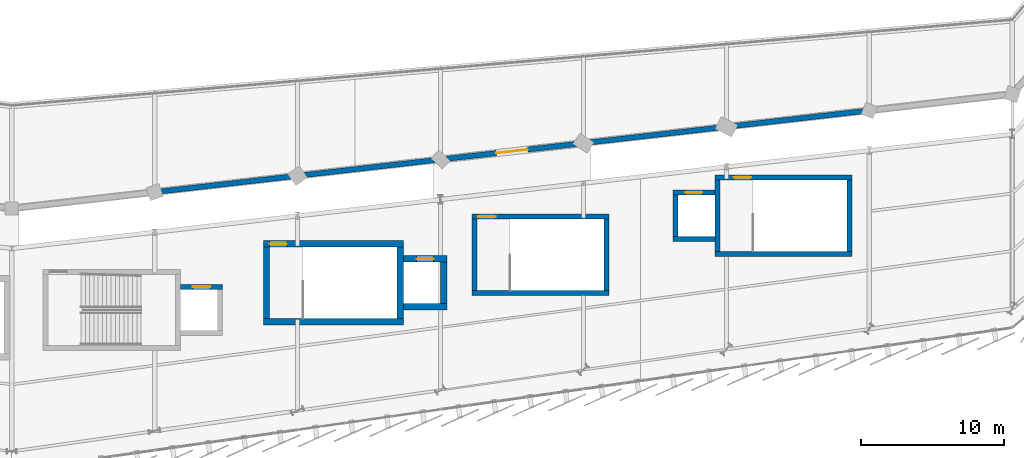
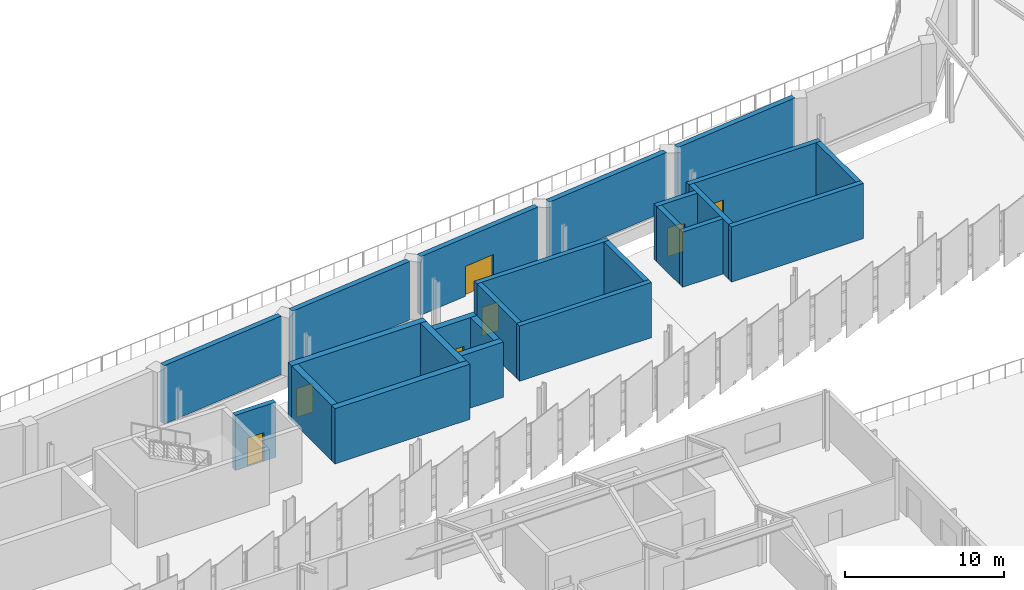
# One storey, part 76 of 87: 24 walls, 7 doors, 7 openings.
"""IFC4 building model written with IfcOpenShell, lengths in metres."""

from ifc_helpers import new_model, si_unit, direction, frame, frame_2d, origin, place, context, subcontext, project, spatial, rectangle, extrude, material, layer, layer_set, type_object, element, fill, save


model = new_model("IFC4")

# Units and contexts
model_context = context("Model", 3, precision=1e-05, world=origin(), true_north=direction((0.0, 1.0)))
body_context = subcontext(model_context, "Body", "Model", "MODEL_VIEW")
ifc_project = project(units=[si_unit("LENGTHUNIT", "METRE"), si_unit("AREAUNIT", "SQUARE_METRE"), si_unit("VOLUMEUNIT", "CUBIC_METRE"), si_unit("PLANEANGLEUNIT", "RADIAN"), si_unit("MASSUNIT", "GRAM", prefix="KILO")], contexts=[model_context])

# Site, building, storey
site_placement = place(None, origin())
site = spatial("IfcSite", under=ifc_project, at=site_placement, CompositionType="ELEMENT")
building_placement = place(site_placement, origin())
building = spatial("IfcBuilding", under=site, at=building_placement, Name="Sohan Crest Arena", CompositionType="ELEMENT")
storey_placement = place(building_placement, frame((0.0, 0.0, 18.0)))
storey = spatial("IfcBuildingStorey", under=building, at=storey_placement, Name="L04", CompositionType="ELEMENT", Elevation=18.0)

# Walls
ifc_material_1 = material(Name="Acoustic insulated bowl drum enclosure wall", Category="masonry")
ifc_layer_1 = layer(ifc_material_1, 0.3701171875, Name="Acoustic insulated bowl drum enclosure wall")
ifc_layer_set_1 = layer_set([ifc_layer_1], Name="Acoustic insulated bowl drum enclosure wall")
wall_type_1 = type_object("IfcWallType", Name="WAL-EW05", PredefinedType="SOLIDWALL", material=ifc_layer_set_1)
for number, where, z_axis, x_axis, name in (
    (1, (108.43701171875, 48.193115234375, 0.0), (0.0, 0.0, 1.0), (0.993532672656, 0.113546591161, 0.0), "Acoustic bowl drum wall BW-L04-14"),
    (2, (118.43701171875, 49.3359375, 0.0), (0.0, 0.0, 1.0), (0.993532672656, 0.113546591161, 0.0), "Acoustic bowl drum wall BW-L04-15"),
):
    element("IfcWall", number, at=place(storey_placement, frame(where, z_axis=z_axis, x_axis=x_axis)), inside=storey, type_object=wall_type_1, Name=name, PredefinedType="SOLIDWALL", context=body_context, shape_type="SweptSolid", body=[
        extrude(rectangle(XDim=9.185302734375, YDim=0.3701171875, at=frame_2d((4.5927734375, 0.0))), origin(), (0.0, 0.0, 1.0), 4.5),
    ])

# Wall, opening, door
wall_1_placement = place(storey_placement, frame((128.43701171875, 50.47900390625, 0.0), z_axis=(0.0, 0.0, 1.0), x_axis=(0.993544661122, 0.113441642955, 0.0)))
wall_1 = element("IfcWall", 3, at=wall_1_placement, inside=storey, type_object=wall_type_1, Name="Acoustic bowl drum wall BW-L04-16", PredefinedType="SOLIDWALL", context=body_context, shape_type="SweptSolid", body=[
    extrude(rectangle(XDim=9.185302734375, YDim=0.3701171875, at=frame_2d((4.5927734375, 0.0))), origin(), (0.0, 0.0, 1.0), 4.5),
])
opening_1_placement = place(wall_1_placement, frame((3.492919921875, 0.0, 0.0)))
opening_1 = element("IfcOpeningElement", 4, at=opening_1_placement, cuts=wall_1, Name="Opening VD-L04-16", PredefinedType="OPENING", context=body_context, shape_type="SweptSolid", body=[
    extrude(rectangle(XDim=2.199951171875, YDim=2.300048828125, at=frame_2d((1.10009765625, 1.14990234375))), frame((0.0, 0.195068359375, 0.0), z_axis=(0.0, -1.0, 0.0), x_axis=(1.0, 0.0, 0.0)), (0.0, 0.0, 1.0), 0.39013671875),
])
ifc_material_2 = material(Name="Fire-rated steel double escape door", Category="steel")
door_type_1 = type_object("IfcDoorType", Name="DR-FD01", OperationType="DOUBLE_DOOR_SINGLE_SWING", PredefinedType="DOOR", material=ifc_material_2)
door_1_placement = place(opening_1_placement, origin())
door_1 = element("IfcDoor", 5, at=door_1_placement, inside=storey, type_object=door_type_1, Name="Bowl vomitory portal fire door VD-L04-16", OperationType="DOUBLE_DOOR_SINGLE_SWING", OverallHeight=2.300048828125, OverallWidth=2.199951171875, PredefinedType="DOOR", context=body_context, shape_type="SweptSolid", body=[
    extrude(rectangle(XDim=2.199951171875, YDim=2.300048828125, at=frame_2d((1.10009765625, 1.14990234375))), frame((0.0, 0.02490234375, 0.0), z_axis=(0.0, -1.0, 0.0), x_axis=(1.0, 0.0, 0.0)), (0.0, 0.0, 1.0), 0.050048828125),
])
fill(opening_1, door_1)

# Walls
for number, where, z_axis, x_axis, name in (
    (6, (138.43701171875, 51.62109375, 0.0), (0.0, 0.0, 1.0), (0.993532672656, 0.113546591161, 0.0), "Acoustic bowl drum wall BW-L04-17"),
    (7, (148.43701171875, 52.763916015625, 0.0), (0.0, 0.0, 1.0), (0.993532672656, 0.113546591161, 0.0), "Acoustic bowl drum wall BW-L04-18"),
):
    element("IfcWall", number, at=place(storey_placement, frame(where, z_axis=z_axis, x_axis=x_axis)), inside=storey, type_object=wall_type_1, Name=name, PredefinedType="SOLIDWALL", context=body_context, shape_type="SweptSolid", body=[
        extrude(rectangle(XDim=9.185302734375, YDim=0.3701171875, at=frame_2d((4.5927734375, 0.0))), origin(), (0.0, 0.0, 1.0), 4.5),
    ])

# Wall, opening, door
ifc_material_3 = material(Name="Concrete C40/50", Category="concrete")
ifc_layer_2 = layer(ifc_material_3, 0.35009765625, Name="Concrete C40/50")
ifc_layer_set_2 = layer_set([ifc_layer_2], Name="Concrete C40/50")
wall_type_2 = type_object("IfcWallType", Name="WAL-SW02", PredefinedType="SHEAR", material=ifc_layer_set_2)
wall_2_placement = place(storey_placement, frame((109.800048828125, 41.52490234375, 0.0), z_axis=(0.0, 0.0, 1.0), x_axis=(1.0, 0.0, 0.0)))
wall_2 = element("IfcWall", 8, at=wall_2_placement, inside=storey, type_object=wall_type_2, Name="Core shear wall SW-0277", PredefinedType="SHEAR", context=body_context, shape_type="SweptSolid", body=[
    extrude(rectangle(XDim=2.949951171875, YDim=0.35009765625, at=frame_2d((1.47509765625, 0.0))), origin(), (0.0, 0.0, 1.0), 4.25),
])
opening_2_placement = place(wall_2_placement, frame((0.875, 0.0, 0.0)))
opening_2 = element("IfcOpeningElement", 9, at=opening_2_placement, cuts=wall_2, Name="Opening LD-LP03-L04", PredefinedType="OPENING", context=body_context, shape_type="SweptSolid", body=[
    extrude(rectangle(XDim=1.199951171875, YDim=2.199951171875, at=frame_2d((0.60009765625, 1.10009765625))), frame((0.0, 0.18505859375, 0.0), z_axis=(0.0, -1.0, 0.0), x_axis=(1.0, 0.0, 0.0)), (0.0, 0.0, 1.0), 0.3701171875),
])
ifc_material_4 = material(Name="Stainless steel passenger lift landing door", Category="steel")
door_type_2 = type_object("IfcDoorType", Name="DR-LD02", OperationType="SLIDING_TO_LEFT", PredefinedType="DOOR", material=ifc_material_4)
door_2_placement = place(opening_2_placement, origin())
door_2 = element("IfcDoor", 10, at=door_2_placement, inside=storey, type_object=door_type_2, Name="Sliding lift landing door LD-LP03-L04", OperationType="SLIDING_TO_LEFT", OverallHeight=2.199951171875, OverallWidth=1.199951171875, PredefinedType="DOOR", context=body_context, shape_type="SweptSolid", body=[
    extrude(rectangle(XDim=1.199951171875, YDim=2.199951171875, at=frame_2d((0.60009765625, 1.10009765625))), frame((0.0, 0.02490234375, 0.0), z_axis=(0.0, -1.0, 0.0), x_axis=(1.0, 0.0, 0.0)), (0.0, 0.0, 1.0), 0.050048828125),
])
fill(opening_2, door_2)

# Walls
for number, where, z_axis, x_axis, name in (
    (11, (147.375, 44.0, 0.0), (0.0, 0.0, 1.0), (0.0, 1.0, 0.0), "Core shear wall SW-0441"),
    (12, (156.625, 44.0, 0.0), (0.0, 0.0, 1.0), (0.0, 1.0, 0.0), "Core shear wall SW-0442"),
):
    element("IfcWall", number, at=place(storey_placement, frame(where, z_axis=z_axis, x_axis=x_axis)), inside=storey, type_object=wall_type_2, Name=name, PredefinedType="SHEAR", context=body_context, shape_type="SweptSolid", body=[
        extrude(rectangle(XDim=5.0, YDim=0.35009765625, at=frame_2d((2.5, 0.0))), origin(), (0.0, 0.0, 1.0), 4.25),
    ])
wall_3_placement = place(storey_placement, frame((147.199951171875, 43.824951171875, 0.0), z_axis=(0.0, 0.0, 1.0), x_axis=(1.0, 0.0, 0.0)))
element("IfcWall", 13, at=wall_3_placement, inside=storey, type_object=wall_type_2, Name="Core shear wall SW-0443", PredefinedType="SHEAR", context=body_context, shape_type="SweptSolid", body=[
    extrude(rectangle(XDim=9.60009765625, YDim=0.35009765625, at=frame_2d((4.800048828125, 0.0))), origin(), (0.0, 0.0, 1.0), 4.25),
])

# Wall, opening, door
wall_4_placement = place(storey_placement, frame((147.199951171875, 49.175048828125, 0.0), z_axis=(0.0, 0.0, 1.0), x_axis=(1.0, 0.0, 0.0)))
wall_4 = element("IfcWall", 14, at=wall_4_placement, inside=storey, type_object=wall_type_2, Name="Core shear wall SW-0444", PredefinedType="SHEAR", context=body_context, shape_type="SweptSolid", body=[
    extrude(rectangle(XDim=9.60009765625, YDim=0.35009765625, at=frame_2d((4.800048828125, 0.0))), origin(), (0.0, 0.0, 1.0), 4.25),
])
opening_3_placement = place(wall_4_placement, frame((1.320068359375, 0.0, 0.0)))
opening_3 = element("IfcOpeningElement", 15, at=opening_3_placement, cuts=wall_4, Name="Opening SD-0123", PredefinedType="OPENING", context=body_context, shape_type="SweptSolid", body=[
    extrude(rectangle(XDim=1.199951171875, YDim=2.199951171875, at=frame_2d((0.60009765625, 1.10009765625))), frame((0.0, 0.18505859375, 0.0), z_axis=(0.0, -1.0, 0.0), x_axis=(1.0, 0.0, 0.0)), (0.0, 0.0, 1.0), 0.3701171875),
])
ifc_material_5 = material(Name="Fire-rated steel stair and lobby door", Category="steel")
door_type_3 = type_object("IfcDoorType", Name="DR-FD04", OperationType="NOTDEFINED", PredefinedType="DOOR", material=ifc_material_5)
door_3_placement = place(opening_3_placement, origin())
door_3 = element("IfcDoor", 16, at=door_3_placement, inside=storey, type_object=door_type_3, Name="Protected stair door SD-0123", OperationType="SINGLE_SWING_LEFT", OverallHeight=2.199951171875, OverallWidth=1.199951171875, PredefinedType="DOOR", context=body_context, shape_type="SweptSolid", body=[
    extrude(rectangle(XDim=1.199951171875, YDim=2.199951171875, at=frame_2d((0.60009765625, 1.10009765625))), frame((0.0, 0.02490234375, 0.0), z_axis=(0.0, -1.0, 0.0), x_axis=(1.0, 0.0, 0.0)), (0.0, 0.0, 1.0), 0.050048828125),
])
fill(opening_3, door_3)

# Walls
wall_5_placement = place(storey_placement, frame((144.425048828125, 45.050048828125, 0.0), z_axis=(0.0, 0.0, 1.0), x_axis=(0.0, 1.0, 0.0)))
element("IfcWall", 17, at=wall_5_placement, inside=storey, type_object=wall_type_2, Name="Core shear wall SW-0445", PredefinedType="SHEAR", context=body_context, shape_type="SweptSolid", body=[
    extrude(rectangle(XDim=2.89990234375, YDim=0.35009765625, at=frame_2d((1.449951171875, 0.0))), origin(), (0.0, 0.0, 1.0), 4.25),
])
wall_6_placement = place(storey_placement, frame((144.25, 44.875, 0.0), z_axis=(0.0, 0.0, 1.0), x_axis=(1.0, 0.0, 0.0)))
element("IfcWall", 18, at=wall_6_placement, inside=storey, type_object=wall_type_2, Name="Core shear wall SW-0446", PredefinedType="SHEAR", context=body_context, shape_type="SweptSolid", body=[
    extrude(rectangle(XDim=2.949951171875, YDim=0.35009765625, at=frame_2d((1.47509765625, 0.0))), origin(), (0.0, 0.0, 1.0), 4.25),
])

# Wall, opening, door
wall_7_placement = place(storey_placement, frame((144.25, 48.125, 0.0), z_axis=(0.0, 0.0, 1.0), x_axis=(1.0, 0.0, 0.0)))
wall_7 = element("IfcWall", 19, at=wall_7_placement, inside=storey, type_object=wall_type_2, Name="Core shear wall SW-0447", PredefinedType="SHEAR", context=body_context, shape_type="SweptSolid", body=[
    extrude(rectangle(XDim=2.949951171875, YDim=0.35009765625, at=frame_2d((1.47509765625, 0.0))), origin(), (0.0, 0.0, 1.0), 4.25),
])
opening_4_placement = place(wall_7_placement, frame((0.875, 0.0, 0.0)))
opening_4 = element("IfcOpeningElement", 20, at=opening_4_placement, cuts=wall_7, Name="Opening LD-LP07-L04", PredefinedType="OPENING", context=body_context, shape_type="SweptSolid", body=[
    extrude(rectangle(XDim=1.199951171875, YDim=2.199951171875, at=frame_2d((0.60009765625, 1.10009765625))), frame((0.0, 0.18505859375, 0.0), z_axis=(0.0, -1.0, 0.0), x_axis=(1.0, 0.0, 0.0)), (0.0, 0.0, 1.0), 0.3701171875),
])
door_4_placement = place(opening_4_placement, origin())
door_4 = element("IfcDoor", 21, at=door_4_placement, inside=storey, type_object=door_type_2, Name="Sliding lift landing door LD-LP07-L04", OperationType="SLIDING_TO_LEFT", OverallHeight=2.199951171875, OverallWidth=1.199951171875, PredefinedType="DOOR", context=body_context, shape_type="SweptSolid", body=[
    extrude(rectangle(XDim=1.199951171875, YDim=2.199951171875, at=frame_2d((0.60009765625, 1.10009765625))), frame((0.0, 0.02490234375, 0.0), z_axis=(0.0, -1.0, 0.0), x_axis=(1.0, 0.0, 0.0)), (0.0, 0.0, 1.0), 0.050048828125),
])
fill(opening_4, door_4)

# Walls
for number, where, z_axis, x_axis, name in (
    (22, (130.375, 41.25, 0.0), (0.0, 0.0, 1.0), (0.0, 1.0, 0.0), "Core shear wall SW-0801"),
    (23, (139.625, 41.25, 0.0), (0.0, 0.0, 1.0), (0.0, 1.0, 0.0), "Core shear wall SW-0802"),
):
    element("IfcWall", number, at=place(storey_placement, frame(where, z_axis=z_axis, x_axis=x_axis)), inside=storey, type_object=wall_type_2, Name=name, PredefinedType="SHEAR", context=body_context, shape_type="SweptSolid", body=[
        extrude(rectangle(XDim=5.0, YDim=0.35009765625, at=frame_2d((2.5, 0.0))), origin(), (0.0, 0.0, 1.0), 4.25),
    ])
wall_8_placement = place(storey_placement, frame((130.199951171875, 41.074951171875, 0.0), z_axis=(0.0, 0.0, 1.0), x_axis=(1.0, 0.0, 0.0)))
element("IfcWall", 24, at=wall_8_placement, inside=storey, type_object=wall_type_2, Name="Core shear wall SW-0803", PredefinedType="SHEAR", context=body_context, shape_type="SweptSolid", body=[
    extrude(rectangle(XDim=9.60009765625, YDim=0.35009765625, at=frame_2d((4.800048828125, 0.0))), origin(), (0.0, 0.0, 1.0), 4.25),
])

# Wall, opening, door
wall_9_placement = place(storey_placement, frame((130.199951171875, 46.425048828125, 0.0), z_axis=(0.0, 0.0, 1.0), x_axis=(1.0, 0.0, 0.0)))
wall_9 = element("IfcWall", 25, at=wall_9_placement, inside=storey, type_object=wall_type_2, Name="Core shear wall SW-0804", PredefinedType="SHEAR", context=body_context, shape_type="SweptSolid", body=[
    extrude(rectangle(XDim=9.60009765625, YDim=0.35009765625, at=frame_2d((4.800048828125, 0.0))), origin(), (0.0, 0.0, 1.0), 4.25),
])
opening_5_placement = place(wall_9_placement, frame((0.449951171875, 0.0, 0.0)))
opening_5 = element("IfcOpeningElement", 26, at=opening_5_placement, cuts=wall_9, Name="Opening SD-0216", PredefinedType="OPENING", context=body_context, shape_type="SweptSolid", body=[
    extrude(rectangle(XDim=1.199951171875, YDim=2.199951171875, at=frame_2d((0.60009765625, 1.10009765625))), frame((0.0, 0.18505859375, 0.0), z_axis=(0.0, -1.0, 0.0), x_axis=(1.0, 0.0, 0.0)), (0.0, 0.0, 1.0), 0.3701171875),
])
door_5_placement = place(opening_5_placement, origin())
door_5 = element("IfcDoor", 27, at=door_5_placement, inside=storey, type_object=door_type_3, Name="Protected stair door SD-0216", OperationType="SINGLE_SWING_RIGHT", OverallHeight=2.199951171875, OverallWidth=1.199951171875, PredefinedType="DOOR", context=body_context, shape_type="SweptSolid", body=[
    extrude(rectangle(XDim=1.199951171875, YDim=2.199951171875, at=frame_2d((0.60009765625, 1.10009765625))), frame((0.0, 0.02490234375, 0.0), z_axis=(0.0, -1.0, 0.0), x_axis=(1.0, 0.0, 0.0)), (0.0, 0.0, 1.0), 0.050048828125),
])
fill(opening_5, door_5)

# Walls
ifc_layer_3 = layer(ifc_material_3, 0.449951171875, Name="Concrete C40/50")
ifc_layer_set_3 = layer_set([ifc_layer_3], Name="Concrete C40/50")
wall_type_3 = type_object("IfcWallType", Name="WAL-SW04", PredefinedType="SHEAR", material=ifc_layer_set_3)
for number, where, z_axis, x_axis, name in (
    (28, (115.824951171875, 39.300048828125, 0.0), (0.0, 0.0, 1.0), (0.0, 1.0, 0.0), "Core shear wall SW-0363"),
    (29, (125.175048828125, 39.300048828125, 0.0), (0.0, 0.0, 1.0), (0.0, 1.0, 0.0), "Core shear wall SW-0364"),
):
    element("IfcWall", number, at=place(storey_placement, frame(where, z_axis=z_axis, x_axis=x_axis)), inside=storey, type_object=wall_type_3, Name=name, PredefinedType="SHEAR", context=body_context, shape_type="SweptSolid", body=[
        extrude(rectangle(XDim=5.0, YDim=0.449951171875, at=frame_2d((2.5, 0.0))), origin(), (0.0, 0.0, 1.0), 4.25),
    ])
wall_10_placement = place(storey_placement, frame((115.60009765625, 39.074951171875, 0.0), z_axis=(0.0, 0.0, 1.0), x_axis=(1.0, 0.0, 0.0)))
element("IfcWall", 30, at=wall_10_placement, inside=storey, type_object=wall_type_3, Name="Core shear wall SW-0365", PredefinedType="SHEAR", context=body_context, shape_type="SweptSolid", body=[
    extrude(rectangle(XDim=9.7998046875, YDim=0.449951171875, at=frame_2d((4.89990234375, 0.0))), origin(), (0.0, 0.0, 1.0), 4.25),
])

# Wall, opening, door
wall_11_placement = place(storey_placement, frame((115.60009765625, 44.52490234375, 0.0), z_axis=(0.0, 0.0, 1.0), x_axis=(1.0, 0.0, 0.0)))
wall_11 = element("IfcWall", 31, at=wall_11_placement, inside=storey, type_object=wall_type_3, Name="Core shear wall SW-0366", PredefinedType="SHEAR", context=body_context, shape_type="SweptSolid", body=[
    extrude(rectangle(XDim=9.7998046875, YDim=0.449951171875, at=frame_2d((4.89990234375, 0.0))), origin(), (0.0, 0.0, 1.0), 4.25),
])
opening_6_placement = place(wall_11_placement, frame((0.449951171875, 0.0, 0.0)))
opening_6 = element("IfcOpeningElement", 32, at=opening_6_placement, cuts=wall_11, Name="Opening SD-0103", PredefinedType="OPENING", context=body_context, shape_type="SweptSolid", body=[
    extrude(rectangle(XDim=1.199951171875, YDim=2.199951171875, at=frame_2d((0.60009765625, 1.10009765625))), frame((0.0, 0.23486328125, 0.0), z_axis=(0.0, -1.0, 0.0), x_axis=(1.0, 0.0, 0.0)), (0.0, 0.0, 1.0), 0.469970703125),
])
door_6_placement = place(opening_6_placement, origin())
door_6 = element("IfcDoor", 33, at=door_6_placement, inside=storey, type_object=door_type_3, Name="Protected stair door SD-0103", OperationType="SINGLE_SWING_LEFT", OverallHeight=2.199951171875, OverallWidth=1.199951171875, PredefinedType="DOOR", context=body_context, shape_type="SweptSolid", body=[
    extrude(rectangle(XDim=1.199951171875, YDim=2.199951171875, at=frame_2d((0.60009765625, 1.10009765625))), frame((0.0, 0.02490234375, 0.0), z_axis=(0.0, -1.0, 0.0), x_axis=(1.0, 0.0, 0.0)), (0.0, 0.0, 1.0), 0.050048828125),
])
fill(opening_6, door_6)

# Walls
wall_12_placement = place(storey_placement, frame((128.22509765625, 40.35009765625, 0.0), z_axis=(0.0, 0.0, 1.0), x_axis=(0.0, 1.0, 0.0)))
element("IfcWall", 34, at=wall_12_placement, inside=storey, type_object=wall_type_3, Name="Core shear wall SW-0367", PredefinedType="SHEAR", context=body_context, shape_type="SweptSolid", body=[
    extrude(rectangle(XDim=2.89990234375, YDim=0.449951171875, at=frame_2d((1.449951171875, 0.0))), origin(), (0.0, 0.0, 1.0), 4.25),
])
wall_13_placement = place(storey_placement, frame((125.39990234375, 40.125, 0.0), z_axis=(0.0, 0.0, 1.0), x_axis=(1.0, 0.0, 0.0)))
element("IfcWall", 35, at=wall_13_placement, inside=storey, type_object=wall_type_3, Name="Core shear wall SW-0368", PredefinedType="SHEAR", context=body_context, shape_type="SweptSolid", body=[
    extrude(rectangle(XDim=3.050048828125, YDim=0.449951171875, at=frame_2d((1.52490234375, 0.0))), origin(), (0.0, 0.0, 1.0), 4.25),
])

# Wall, opening, door
wall_14_placement = place(storey_placement, frame((125.39990234375, 43.47509765625, 0.0), z_axis=(0.0, 0.0, 1.0), x_axis=(1.0, 0.0, 0.0)))
wall_14 = element("IfcWall", 36, at=wall_14_placement, inside=storey, type_object=wall_type_3, Name="Core shear wall SW-0369", PredefinedType="SHEAR", context=body_context, shape_type="SweptSolid", body=[
    extrude(rectangle(XDim=3.050048828125, YDim=0.449951171875, at=frame_2d((1.52490234375, 0.0))), origin(), (0.0, 0.0, 1.0), 4.25),
])
opening_7_placement = place(wall_14_placement, frame((0.925048828125, 0.0, 0.0)))
opening_7 = element("IfcOpeningElement", 37, at=opening_7_placement, cuts=wall_14, Name="Opening LD-LP05-L04", PredefinedType="OPENING", context=body_context, shape_type="SweptSolid", body=[
    extrude(rectangle(XDim=1.199951171875, YDim=2.199951171875, at=frame_2d((0.60009765625, 1.10009765625))), frame((0.0, 0.23486328125, 0.0), z_axis=(0.0, -1.0, 0.0), x_axis=(1.0, 0.0, 0.0)), (0.0, 0.0, 1.0), 0.469970703125),
])
door_7_placement = place(opening_7_placement, origin())
door_7 = element("IfcDoor", 38, at=door_7_placement, inside=storey, type_object=door_type_2, Name="Sliding lift landing door LD-LP05-L04", OperationType="SLIDING_TO_LEFT", OverallHeight=2.199951171875, OverallWidth=1.199951171875, PredefinedType="DOOR", context=body_context, shape_type="SweptSolid", body=[
    extrude(rectangle(XDim=1.199951171875, YDim=2.199951171875, at=frame_2d((0.60009765625, 1.10009765625))), frame((0.0, 0.02490234375, 0.0), z_axis=(0.0, -1.0, 0.0), x_axis=(1.0, 0.0, 0.0)), (0.0, 0.0, 1.0), 0.050048828125),
])
fill(opening_7, door_7)

save(model, "model.ifc")
